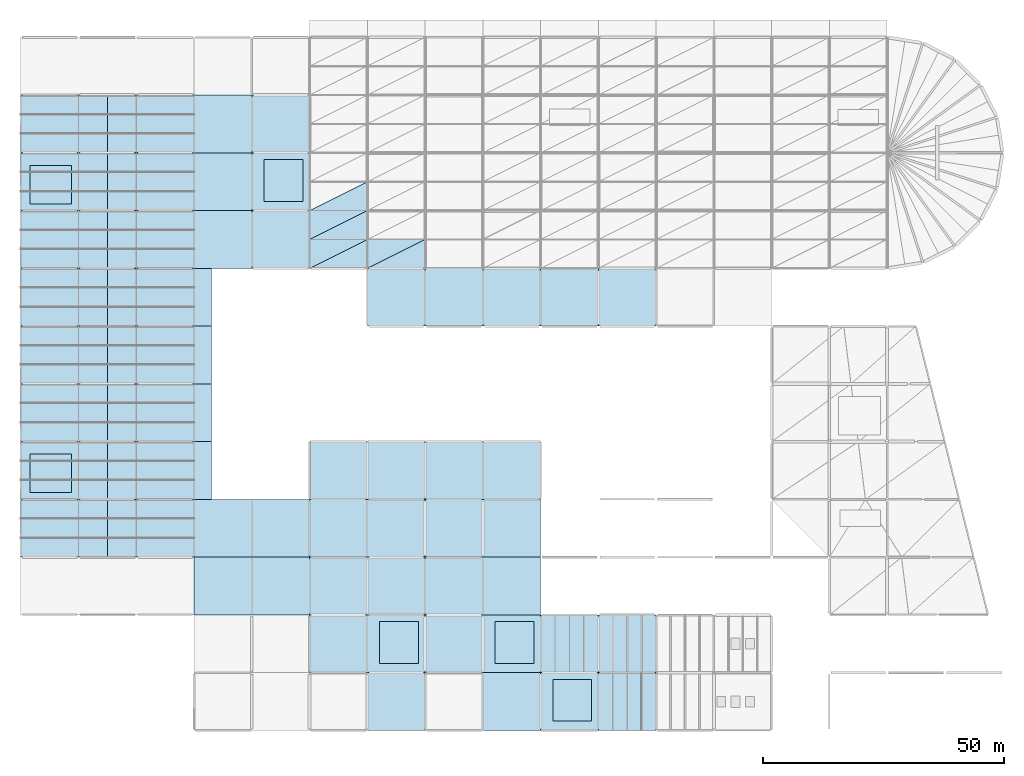
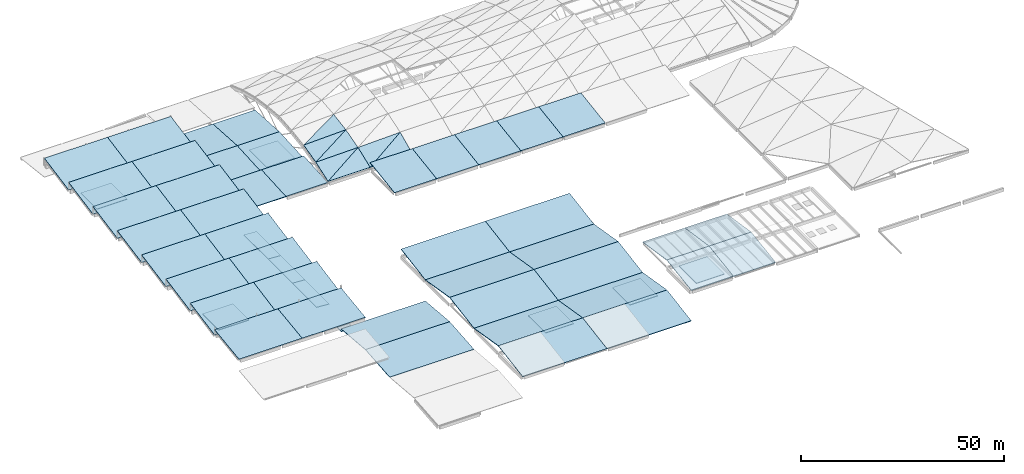
# One storey, part 18 of 23: 60 slabs, 5 elements without a shape of their own.
"""IFC4 building model written with IfcOpenShell, lengths in metres."""

from ifc_helpers import new_model, si_unit, direction, frame, origin, place, context, subcontext, project, spatial, polyline, outline, extrude, material, layer, layer_set, type_object, element, aggregate, save


model = new_model("IFC4")

# Units and contexts
model_context = context("Model", 3, precision=1e-05, world=origin(), true_north=direction((0.0, 1.0)))
body_context = subcontext(model_context, "Body", "Model", "MODEL_VIEW")
ifc_project = project(units=[si_unit("LENGTHUNIT", "METRE"), si_unit("AREAUNIT", "SQUARE_METRE"), si_unit("VOLUMEUNIT", "CUBIC_METRE"), si_unit("PLANEANGLEUNIT", "RADIAN"), si_unit("MASSUNIT", "GRAM", prefix="KILO")], contexts=[model_context])

# Site, building, storey
site_placement = place(None, origin())
site = spatial("IfcSite", under=ifc_project, at=site_placement, CompositionType="ELEMENT")
building_placement = place(site_placement, origin())
building = spatial("IfcBuilding", under=site, at=building_placement, Name="Kamomehara Wholesale Market", CompositionType="ELEMENT")
storey_placement = place(building_placement, frame((0.0, 0.0, 21.0)))
storey = spatial("IfcBuildingStorey", under=building, at=storey_placement, Name="RF", CompositionType="ELEMENT", Elevation=21.0)

# Roof, slabs
ifc_material_1 = material(Name="Concrete Fc36 (C35/45)", Category="concrete")
ifc_layer_1 = layer(ifc_material_1, 0.199951171875)
ifc_layer_set_1 = layer_set([ifc_layer_1], Name="Concrete Fc36 (C35/45)")
roof_type_1 = type_object("IfcRoofType", Name="ROOF-SYS-06", PredefinedType="GABLE_ROOF", material=ifc_layer_set_1)
roof_1_placement = place(storey_placement, origin())
roof_1 = element("IfcRoof", 1, at=roof_1_placement, inside=storey, type_object=roof_type_1, Name="V3 Dock Canopy Roof", PredefinedType="GABLE_ROOF")
ifc_material_2 = material(Name="Concrete Fc36 (C35/45)", Category="concrete")
ifc_layer_2 = layer(ifc_material_2, 0.14990234375)
ifc_layer_set_2 = layer_set([ifc_layer_2], Name="Concrete Fc36 (C35/45)")
slab_type_1 = type_object("IfcSlabType", Name="SLB-ROF-150", PredefinedType="ROOF", material=ifc_layer_set_2)
slab_1_placement = place(storey_placement, frame((36.0, 60.0, -16.35009765625), z_axis=(0.063751781538, 0.0, 0.997965786162), x_axis=(0.997965786162, 0.0, -0.063751781538)))
slab_1 = element("IfcSlab", 2, at=slab_1_placement, type_object=slab_type_1, Name="Dock canopy deck V3 1", PredefinedType="ROOF", context=body_context, shape_type="SweptSolid", body=[
    extrude(outline(polyline([(0.0, 0.0), (3.607435952382691, 0.0), (3.607435952382691, 12.0), (0.0, 12.0), (0.0, 0.0)])), origin(), (0.0, 0.0, -1.0), 0.14990234375),
])
slab_2_placement = place(storey_placement, frame((36.0, 72.0, -16.35009765625), z_axis=(0.063751781538, 0.0, 0.997965786162), x_axis=(0.997965786162, 0.0, -0.063751781538)))
slab_2 = element("IfcSlab", 3, at=slab_2_placement, type_object=slab_type_1, Name="Dock canopy deck V3 2", PredefinedType="ROOF", context=body_context, shape_type="SweptSolid", body=[
    extrude(outline(polyline([(0.0, 0.0), (3.607435952382691, 0.0), (3.607435952382691, 12.0), (0.0, 12.0), (0.0, 0.0)])), origin(), (0.0, 0.0, -1.0), 0.14990234375),
])
slab_3_placement = place(storey_placement, frame((36.0, 84.0, -16.35009765625), z_axis=(0.063751781538, 0.0, 0.997965786162), x_axis=(0.997965786162, 0.0, -0.063751781538)))
slab_3 = element("IfcSlab", 4, at=slab_3_placement, type_object=slab_type_1, Name="Dock canopy deck V3 3", PredefinedType="ROOF", context=body_context, shape_type="SweptSolid", body=[
    extrude(outline(polyline([(0.0, 0.0), (3.607435952382691, 0.0), (3.607435952382691, 12.0), (0.0, 12.0), (0.0, 0.0)])), origin(), (0.0, 0.0, -1.0), 0.14990234375),
])
slab_4_placement = place(storey_placement, frame((36.0, 96.0, -16.35009765625), z_axis=(0.063751781538, 0.0, 0.997965786162), x_axis=(0.997965786162, 0.0, -0.063751781538)))
slab_4 = element("IfcSlab", 5, at=slab_4_placement, type_object=slab_type_1, Name="Dock canopy deck V3 4", PredefinedType="ROOF", context=body_context, shape_type="SweptSolid", body=[
    extrude(outline(polyline([(0.0, 0.0), (3.607435952382691, 0.0), (3.607435952382691, 12.0), (0.0, 12.0), (0.0, 0.0)])), origin(), (0.0, 0.0, -1.0), 0.14990234375),
])
aggregate(roof_1, [slab_1, slab_2, slab_3, slab_4])

ifc_material_3 = material(Name="Concrete Fc36 (C35/45)", Category="concrete")
ifc_layer_3 = layer(ifc_material_3, 0.199951171875)
ifc_layer_set_3 = layer_set([ifc_layer_3], Name="Concrete Fc36 (C35/45)")
roof_type_2 = type_object("IfcRoofType", Name="ROOF-SYS-03", PredefinedType="GABLE_ROOF", material=ifc_layer_set_3)
roof_2_placement = place(storey_placement, origin())
roof_2 = element("IfcRoof", 6, at=roof_2_placement, inside=storey, type_object=roof_type_2, Name="V3 North-Light Monitor Roof", PredefinedType="GABLE_ROOF")
ifc_material_4 = material(Name="Concrete Fc36 (C35/45)", Category="concrete")
ifc_layer_4 = layer(ifc_material_4, 0.1650390625)
ifc_layer_set_4 = layer_set([ifc_layer_4], Name="Concrete Fc36 (C35/45)")
slab_type_2 = type_object("IfcSlabType", Name="SLB-ROF-165", PredefinedType="ROOF", material=ifc_layer_set_4)
slab_5_placement = place(storey_placement, frame((0.0, 48.0, -4.800048828125), z_axis=(0.0, -0.13217164581, 0.991226843888), x_axis=(1.0, 0.0, 0.0)))
slab_5 = element("IfcSlab", 7, at=slab_5_placement, type_object=slab_type_2, Name="Monitor roof slope V3 1.1", PredefinedType="ROOF", context=body_context, shape_type="SweptSolid", body=[
    extrude(outline(polyline([(0.0, 0.0), (18.0, 0.0), (18.0, 12.106209667337533), (0.0, 12.106209667337533), (0.0, 0.0)])), origin(), (0.0, 0.0, -1.0), 0.1650390625),
])
slab_6_placement = place(storey_placement, frame((18.0, 48.0, -4.800048828125), z_axis=(0.0, -0.13217164581, 0.991226843888), x_axis=(1.0, 0.0, 0.0)))
slab_6 = element("IfcSlab", 8, at=slab_6_placement, type_object=slab_type_2, Name="Monitor roof slope V3 1.2", PredefinedType="ROOF", context=body_context, shape_type="SweptSolid", body=[
    extrude(outline(polyline([(0.0, 0.0), (18.0, 0.0), (18.0, 12.106209667337533), (0.0, 12.106209667337533), (0.0, 0.0)])), origin(), (0.0, 0.0, -1.0), 0.1650390625),
])
slab_7_placement = place(storey_placement, frame((0.0, 60.0, -4.800048828125), z_axis=(0.0, -0.188244098612, 0.98212227311), x_axis=(1.0, 0.0, 0.0)))
slab_7 = element("IfcSlab", 9, at=slab_7_placement, type_object=slab_type_2, Name="Monitor roof slope V3 2.1", PredefinedType="ROOF", context=body_context, shape_type="SweptSolid", body=[
    extrude(outline(polyline([(0.0, 0.0), (18.0, 0.0), (18.0, 12.218437895727883), (0.0, 12.218437895727883), (0.0, 0.0)])), origin(), (0.0, 0.0, -1.0), 0.1650390625),
])
slab_8_placement = place(storey_placement, frame((18.0, 60.0, -4.800048828125), z_axis=(0.0, -0.188244098612, 0.98212227311), x_axis=(1.0, 0.0, 0.0)))
slab_8 = element("IfcSlab", 10, at=slab_8_placement, type_object=slab_type_2, Name="Monitor roof slope V3 2.2", PredefinedType="ROOF", context=body_context, shape_type="SweptSolid", body=[
    extrude(outline(polyline([(0.0, 0.0), (18.0, 0.0), (18.0, 12.218437895727883), (0.0, 12.218437895727883), (0.0, 0.0)])), origin(), (0.0, 0.0, -1.0), 0.1650390625),
])
slab_9_placement = place(storey_placement, frame((0.0, 72.0, -4.800048828125), z_axis=(0.0, -0.188244098612, 0.98212227311), x_axis=(1.0, 0.0, 0.0)))
slab_9 = element("IfcSlab", 11, at=slab_9_placement, type_object=slab_type_2, Name="Monitor roof slope V3 3.1", PredefinedType="ROOF", context=body_context, shape_type="SweptSolid", body=[
    extrude(outline(polyline([(0.0, 0.0), (18.0, 0.0), (18.0, 12.218437895727883), (0.0, 12.218437895727883), (0.0, 0.0)])), origin(), (0.0, 0.0, -1.0), 0.1650390625),
])
slab_10_placement = place(storey_placement, frame((18.0, 72.0, -4.800048828125), z_axis=(0.0, -0.188244098612, 0.98212227311), x_axis=(1.0, 0.0, 0.0)))
slab_10 = element("IfcSlab", 12, at=slab_10_placement, type_object=slab_type_2, Name="Monitor roof slope V3 3.2", PredefinedType="ROOF", context=body_context, shape_type="SweptSolid", body=[
    extrude(outline(polyline([(0.0, 0.0), (18.0, 0.0), (18.0, 12.218437895727883), (0.0, 12.218437895727883), (0.0, 0.0)])), origin(), (0.0, 0.0, -1.0), 0.1650390625),
])
slab_11_placement = place(storey_placement, frame((0.0, 84.0, -4.800048828125), z_axis=(0.0, -0.188244098612, 0.98212227311), x_axis=(1.0, 0.0, 0.0)))
slab_11 = element("IfcSlab", 13, at=slab_11_placement, type_object=slab_type_2, Name="Monitor roof slope V3 4.1", PredefinedType="ROOF", context=body_context, shape_type="SweptSolid", body=[
    extrude(outline(polyline([(0.0, 0.0), (18.0, 0.0), (18.0, 12.218437895727883), (0.0, 12.218437895727883), (0.0, 0.0)])), origin(), (0.0, 0.0, -1.0), 0.1650390625),
])
slab_12_placement = place(storey_placement, frame((18.0, 84.0, -4.800048828125), z_axis=(0.0, -0.188244098612, 0.98212227311), x_axis=(1.0, 0.0, 0.0)))
slab_12 = element("IfcSlab", 14, at=slab_12_placement, type_object=slab_type_2, Name="Monitor roof slope V3 4.2", PredefinedType="ROOF", context=body_context, shape_type="SweptSolid", body=[
    extrude(outline(polyline([(0.0, 0.0), (18.0, 0.0), (18.0, 12.218437895727883), (0.0, 12.218437895727883), (0.0, 0.0)])), origin(), (0.0, 0.0, -1.0), 0.1650390625),
])
slab_13_placement = place(storey_placement, frame((0.0, 96.0, -4.800048828125), z_axis=(0.0, -0.188244098612, 0.98212227311), x_axis=(1.0, 0.0, 0.0)))
slab_13 = element("IfcSlab", 15, at=slab_13_placement, type_object=slab_type_2, Name="Monitor roof slope V3 5.1", PredefinedType="ROOF", context=body_context, shape_type="SweptSolid", body=[
    extrude(outline(polyline([(0.0, 0.0), (18.0, 0.0), (18.0, 12.218437895727883), (0.0, 12.218437895727883), (0.0, 0.0)])), origin(), (0.0, 0.0, -1.0), 0.1650390625),
])
slab_14_placement = place(storey_placement, frame((18.0, 96.0, -4.800048828125), z_axis=(0.0, -0.188244098612, 0.98212227311), x_axis=(1.0, 0.0, 0.0)))
slab_14 = element("IfcSlab", 16, at=slab_14_placement, type_object=slab_type_2, Name="Monitor roof slope V3 5.2", PredefinedType="ROOF", context=body_context, shape_type="SweptSolid", body=[
    extrude(outline(polyline([(0.0, 0.0), (18.0, 0.0), (18.0, 12.218437895727883), (0.0, 12.218437895727883), (0.0, 0.0)])), origin(), (0.0, 0.0, -1.0), 0.1650390625),
])
slab_15_placement = place(storey_placement, frame((0.0, 108.0, -4.800048828125), z_axis=(0.0, -0.188244098612, 0.98212227311), x_axis=(1.0, 0.0, 0.0)))
slab_15 = element("IfcSlab", 17, at=slab_15_placement, type_object=slab_type_2, Name="Monitor roof slope V3 6.1", PredefinedType="ROOF", context=body_context, shape_type="SweptSolid", body=[
    extrude(outline(polyline([(0.0, 0.0), (18.0, 0.0), (18.0, 12.218437895727883), (0.0, 12.218437895727883), (0.0, 0.0)])), origin(), (0.0, 0.0, -1.0), 0.1650390625),
])
slab_16_placement = place(storey_placement, frame((18.0, 108.0, -4.800048828125), z_axis=(0.0, -0.188244098612, 0.98212227311), x_axis=(1.0, 0.0, 0.0)))
slab_16 = element("IfcSlab", 18, at=slab_16_placement, type_object=slab_type_2, Name="Monitor roof slope V3 6.2", PredefinedType="ROOF", context=body_context, shape_type="SweptSolid", body=[
    extrude(outline(polyline([(0.0, 0.0), (18.0, 0.0), (18.0, 12.218437895727883), (0.0, 12.218437895727883), (0.0, 0.0)])), origin(), (0.0, 0.0, -1.0), 0.1650390625),
])
slab_17_placement = place(storey_placement, frame((0.0, 120.0, -4.800048828125), z_axis=(0.0, -0.188244098612, 0.98212227311), x_axis=(1.0, 0.0, 0.0)))
slab_17 = element("IfcSlab", 19, at=slab_17_placement, type_object=slab_type_2, Name="Monitor roof slope V3 7.1", PredefinedType="ROOF", context=body_context, shape_type="SweptSolid", body=[
    extrude(outline(polyline([(0.0, 0.0), (18.0, 0.0), (18.0, 12.218437895727883), (0.0, 12.218437895727883), (0.0, 0.0)])), origin(), (0.0, 0.0, -1.0), 0.1650390625),
])
slab_18_placement = place(storey_placement, frame((18.0, 120.0, -4.800048828125), z_axis=(0.0, -0.188244098612, 0.98212227311), x_axis=(1.0, 0.0, 0.0)))
slab_18 = element("IfcSlab", 20, at=slab_18_placement, type_object=slab_type_2, Name="Monitor roof slope V3 7.2", PredefinedType="ROOF", context=body_context, shape_type="SweptSolid", body=[
    extrude(outline(polyline([(0.0, 0.0), (18.0, 0.0), (18.0, 12.218437895727883), (0.0, 12.218437895727883), (0.0, 0.0)])), origin(), (0.0, 0.0, -1.0), 0.1650390625),
])
slab_19_placement = place(storey_placement, frame((0.0, 132.0, -4.800048828125), z_axis=(0.0, -0.188244098612, 0.98212227311), x_axis=(1.0, 0.0, 0.0)))
slab_19 = element("IfcSlab", 21, at=slab_19_placement, type_object=slab_type_2, Name="Monitor roof slope V3 8.1", PredefinedType="ROOF", context=body_context, shape_type="SweptSolid", body=[
    extrude(outline(polyline([(0.0, 0.0), (18.0, 0.0), (18.0, 12.218437895727883), (0.0, 12.218437895727883), (0.0, 0.0)])), origin(), (0.0, 0.0, -1.0), 0.1650390625),
])
slab_20_placement = place(storey_placement, frame((18.0, 132.0, -4.800048828125), z_axis=(0.0, -0.188244098612, 0.98212227311), x_axis=(1.0, 0.0, 0.0)))
slab_20 = element("IfcSlab", 22, at=slab_20_placement, type_object=slab_type_2, Name="Monitor roof slope V3 8.2", PredefinedType="ROOF", context=body_context, shape_type="SweptSolid", body=[
    extrude(outline(polyline([(0.0, 0.0), (18.0, 0.0), (18.0, 12.218437895727883), (0.0, 12.218437895727883), (0.0, 0.0)])), origin(), (0.0, 0.0, -1.0), 0.1650390625),
])
aggregate(roof_2, [slab_5, slab_6, slab_7, slab_8, slab_9, slab_10, slab_11, slab_12, slab_13, slab_14, slab_15, slab_16, slab_17, slab_18, slab_19, slab_20])

ifc_material_5 = material(Name="Concrete Fc36 (C35/45)", Category="concrete")
ifc_layer_5 = layer(ifc_material_5, 0.199951171875)
ifc_layer_set_5 = layer_set([ifc_layer_5], Name="Concrete Fc36 (C35/45)")
roof_type_3 = type_object("IfcRoofType", Name="ROOF-SYS-01", PredefinedType="BARREL_ROOF", material=ifc_layer_set_5)
roof_3_placement = place(storey_placement, origin())
roof_3 = element("IfcRoof", 23, at=roof_3_placement, inside=storey, type_object=roof_type_3, Name="V1 Wave-Barrel Concrete Shell Roof", PredefinedType="BARREL_ROOF")
ifc_material_6 = material(Name="Concrete Fc36 (C35/45)", Category="concrete")
ifc_layer_6 = layer(ifc_material_6, 0.179931640625)
ifc_layer_set_6 = layer_set([ifc_layer_6], Name="Concrete Fc36 (C35/45)")
slab_type_3 = type_object("IfcSlabType", Name="SLB-SHL-180", PredefinedType="ROOF", material=ifc_layer_set_6)
slab_21_placement = place(storey_placement, frame((60.0, 108.0, -8.64990234375), z_axis=(0.0, -0.366575165173, 0.930388439459), x_axis=(1.0, 0.0, 0.0)))
slab_21 = element("IfcSlab", 24, at=slab_21_placement, type_object=slab_type_3, Name="Concrete shell roof facet V1 1", PredefinedType="ROOF", context=body_context, shape_type="SweptSolid", body=[
    extrude(outline(polyline([(0.0, 0.0), (12.0, 0.0), (12.0, 6.448919338990984), (0.0, 0.0)])), origin(), (0.0, 0.0, -1.0), 0.179931640625),
])
slab_22_placement = place(storey_placement, frame((60.0, 108.0, -8.64990234375), z_axis=(-0.019024099385, -0.333343644667, 0.942613440495), x_axis=(0.880857475286, 0.440428737643, 0.173529926212)))
slab_22 = element("IfcSlab", 25, at=slab_22_placement, type_object=slab_type_3, Name="Concrete shell roof facet V1 2", PredefinedType="ROOF", context=body_context, shape_type="SweptSolid", body=[
    extrude(outline(polyline([(0.0, 0.0), (13.623089247333438, -2.220446049250313e-16), (3.010772764898616, 5.606905890221313), (0.0, 0.0)])), origin(), (0.0, 0.0, -1.0), 0.179931640625),
])
slab_23_placement = place(storey_placement, frame((60.0, 114.0, -6.528076171875), z_axis=(-0.019424424379, -0.270767076931, 0.962448898273), x_axis=(0.999796399748, 0.0, 0.020178182547)))
slab_23 = element("IfcSlab", 26, at=slab_23_placement, type_object=slab_type_3, Name="Concrete shell roof facet V1 3", PredefinedType="ROOF", context=body_context, shape_type="SweptSolid", body=[
    extrude(outline(polyline([(0.0, 0.0), (12.002443700561829, 0.0), (12.036504236238084, 6.232827955073587), (0.0, 0.0)])), origin(), (0.0, 0.0, -1.0), 0.179931640625),
])
slab_24_placement = place(storey_placement, frame((60.0, 114.0, -6.528076171875), z_axis=(-0.033515080423, -0.244699516596, 0.969019548803), x_axis=(0.885312169823, 0.442656084911, 0.142400675753)))
slab_24 = element("IfcSlab", 27, at=slab_24_placement, type_object=slab_type_3, Name="Concrete shell roof facet V1 4", PredefinedType="ROOF", context=body_context, shape_type="SweptSolid", body=[
    extrude(outline(polyline([(0.0, 0.0), (13.554540882911677, 4.996003610813204e-16), (2.8716930020762463, 5.481698512170369), (0.0, 0.0)])), origin(), (0.0, 0.0, -1.0), 0.179931640625),
])
slab_25_placement = place(storey_placement, frame((60.0, 120.0, -5.012939453125), z_axis=(-0.034084183452, -0.166370914285, 0.985473991193), x_axis=(0.999402420026, 0.0, 0.034565920289)))
slab_25 = element("IfcSlab", 28, at=slab_25_placement, type_object=slab_type_3, Name="Concrete shell roof facet V1 5", PredefinedType="ROOF", context=body_context, shape_type="SweptSolid", body=[
    extrude(outline(polyline([(0.0, 0.0), (12.007175247467694, 0.0), (12.042188431861995, 6.084802413605207), (0.0, 0.0)])), origin(), (0.0, 0.0, -1.0), 0.179931640625),
])

ifc_material_7 = material(Name="Concrete Fc36 (C35/45)", Category="concrete")
ifc_layer_7 = layer(ifc_material_7, 0.199951171875)
ifc_layer_set_7 = layer_set([ifc_layer_7], Name="Concrete Fc36 (C35/45)")
roof_type_4 = type_object("IfcRoofType", Name="ROOF-SYS-04", PredefinedType="GABLE_ROOF", material=ifc_layer_set_7)
roof_4_placement = place(storey_placement, origin())
roof_4 = element("IfcRoof", 29, at=roof_4_placement, inside=storey, type_object=roof_type_4, Name="V4 Asymmetric Coastal Eave Roof", PredefinedType="GABLE_ROOF")
slab_26_placement = place(storey_placement, frame((36.0, 36.0, -15.550048828125), z_axis=(0.0, -0.087170973002, 0.9961933655), x_axis=(1.0, 0.0, 0.0)))
slab_26 = element("IfcSlab", 30, at=slab_26_placement, type_object=slab_type_3, Name="Live-tank hall pleated roof 3", PredefinedType="ROOF", context=body_context, shape_type="SweptSolid", body=[
    extrude(outline(polyline([(0.0, 0.0), (24.0, 0.0), (24.0, 12.045854164045267), (0.0, 12.045854164045267), (0.0, 0.0)])), origin(), (0.0, 0.0, -1.0), 0.179931640625),
])
slab_27_placement = place(storey_placement, frame((36.0, 48.0, -14.5), z_axis=(0.0, 0.087170973002, 0.9961933655), x_axis=(1.0, 0.0, 0.0)))
slab_27 = element("IfcSlab", 31, at=slab_27_placement, type_object=slab_type_3, Name="Live-tank hall pleated roof 4", PredefinedType="ROOF", context=body_context, shape_type="SweptSolid", body=[
    extrude(outline(polyline([(0.0, 0.0), (24.0, 0.0), (24.0, 12.045854164045267), (0.0, 12.045854164045267), (0.0, 0.0)])), origin(), (0.0, 0.0, -1.0), 0.179931640625),
])

# Slab
ifc_material_8 = material(Name="Concrete Fc36 (C35/45)", Category="concrete")
ifc_layer_8 = layer(ifc_material_8, 0.195068359375)
ifc_layer_set_8 = layer_set([ifc_layer_8], Name="Concrete Fc36 (C35/45)")
slab_type_4 = type_object("IfcSlabType", Name="SLB-SHL-195", PredefinedType="ROOF", material=ifc_layer_set_8)
slab_28_placement = place(storey_placement, frame((36.0, 108.0, -9.0), z_axis=(0.0, -0.062378286155, 0.998052578483), x_axis=(1.0, 0.0, 0.0)))
slab_28 = element("IfcSlab", 32, at=slab_28_placement, type_object=slab_type_4, Name="Sorting hall roof slab 1.1", PredefinedType="ROOF", context=body_context, shape_type="SweptSolid", body=[
    extrude(outline(polyline([(0.0, 0.0), (12.0, 0.0), (12.0, 12.023414656411047), (0.0, 12.023414656411047), (0.0, 0.0)])), origin(), (0.0, 0.0, -1.0), 0.195068359375),
])

slab_29_placement = place(storey_placement, frame((36.0, 120.0, -9.0), z_axis=(0.0, -0.062378286155, 0.998052578483), x_axis=(1.0, 0.0, 0.0)))
slab_29 = element("IfcSlab", 33, at=slab_29_placement, type_object=slab_type_4, Name="Sorting hall roof slab 1.2", PredefinedType="ROOF", context=body_context, shape_type="SweptSolid", body=[
    extrude(outline(polyline([(0.0, 0.0), (12.0, 0.0), (12.0, 12.023414656411047), (0.0, 12.023414656411047), (0.0, 0.0)])), origin(), (0.0, 0.0, -1.0), 0.195068359375),
])

slab_30_placement = place(storey_placement, frame((36.0, 132.0, -8.25), z_axis=(0.0, 0.062378286155, 0.998052578483), x_axis=(1.0, 0.0, 0.0)))
slab_30 = element("IfcSlab", 34, at=slab_30_placement, type_object=slab_type_4, Name="Sorting hall roof slab 1.3", PredefinedType="ROOF", context=body_context, shape_type="SweptSolid", body=[
    extrude(outline(polyline([(0.0, 0.0), (12.0, 0.0), (12.0, 12.023414656411047), (0.0, 12.023414656411047), (0.0, 0.0)])), origin(), (0.0, 0.0, -1.0), 0.195068359375),
])

slab_31_placement = place(storey_placement, frame((48.0, 108.0, -9.0), z_axis=(0.0, -0.062378286155, 0.998052578483), x_axis=(1.0, 0.0, 0.0)))
slab_31 = element("IfcSlab", 35, at=slab_31_placement, type_object=slab_type_4, Name="Sorting hall roof slab 2.1", PredefinedType="ROOF", context=body_context, shape_type="SweptSolid", body=[
    extrude(outline(polyline([(0.0, 0.0), (12.0, 0.0), (12.0, 12.023414656411047), (0.0, 12.023414656411047), (0.0, 0.0)])), origin(), (0.0, 0.0, -1.0), 0.195068359375),
])

slab_32_placement = place(storey_placement, frame((48.0, 120.0, -9.0), z_axis=(0.0, -0.062378286155, 0.998052578483), x_axis=(1.0, 0.0, 0.0)))
slab_32 = element("IfcSlab", 36, at=slab_32_placement, type_object=slab_type_4, Name="Sorting hall roof slab 2.2", PredefinedType="ROOF", context=body_context, shape_type="SweptSolid", body=[
    extrude(outline(polyline([(0.0, 0.0), (12.0, 0.0), (12.0, 12.023414656411047), (0.0, 12.023414656411047), (0.0, 0.0)])), origin(), (0.0, 0.0, -1.0), 0.195068359375),
])

slab_33_placement = place(storey_placement, frame((48.0, 132.0, -8.25), z_axis=(0.0, 0.062378286155, 0.998052578483), x_axis=(1.0, 0.0, 0.0)))
slab_33 = element("IfcSlab", 37, at=slab_33_placement, type_object=slab_type_4, Name="Sorting hall roof slab 2.3", PredefinedType="ROOF", context=body_context, shape_type="SweptSolid", body=[
    extrude(outline(polyline([(0.0, 0.0), (12.0, 0.0), (12.0, 12.023414656411047), (0.0, 12.023414656411047), (0.0, 0.0)])), origin(), (0.0, 0.0, -1.0), 0.195068359375),
])

slab_34_placement = place(storey_placement, frame((72.0, 108.0, -8.64990234375), z_axis=(0.0, -0.417265796716, 0.908784493096), x_axis=(1.0, 0.0, 0.0)))
slab_34 = element("IfcSlab", 38, at=slab_34_placement, type_object=slab_type_4, Name="Concrete shell roof facet V1 17", PredefinedType="ROOF", context=body_context, shape_type="SweptSolid", body=[
    extrude(outline(polyline([(0.0, 0.0), (12.0, 0.0), (12.0, 6.602225330190413), (0.0, 0.0)])), origin(), (0.0, 0.0, -1.0), 0.195068359375),
])

slab_35_placement = place(storey_placement, frame((72.0, 108.0, -8.64990234375), z_axis=(-0.030291104428, -0.366406950871, 0.929961502077), x_axis=(0.876147291713, 0.438073645856, 0.201140259596)))
slab_35 = element("IfcSlab", 39, at=slab_35_placement, type_object=slab_type_4, Name="Concrete shell roof facet V1 18", PredefinedType="ROOF", context=body_context, shape_type="SweptSolid", body=[
    extrude(outline(polyline([(0.0, 0.0), (13.696327219755226, -4.440892098500626e-16), (3.103940198788797, 5.652797173360715), (0.0, 0.0)])), origin(), (0.0, 0.0, -1.0), 0.195068359375),
])

slab_36_placement = place(storey_placement, frame((72.0, 96.0, -9.0), z_axis=(0.0, -0.148344388372, 0.988935762544), x_axis=(1.0, 0.0, 0.0)))
slab_36 = element("IfcSlab", 40, at=slab_36_placement, type_object=slab_type_4, Name="Buyer concourse shell roof 1", PredefinedType="ROOF", context=body_context, shape_type="SweptSolid", body=[
    extrude(outline(polyline([(0.0, 0.0), (12.0, 0.0), (12.0, 12.13425629297627), (0.0, 12.13425629297627), (0.0, 0.0)])), origin(), (0.0, 0.0, -1.0), 0.195068359375),
])

slab_37_placement = place(storey_placement, frame((84.0, 96.0, -9.0), z_axis=(0.0, -0.148344388372, 0.988935762544), x_axis=(1.0, 0.0, 0.0)))
slab_37 = element("IfcSlab", 41, at=slab_37_placement, type_object=slab_type_4, Name="Buyer concourse shell roof 2", PredefinedType="ROOF", context=body_context, shape_type="SweptSolid", body=[
    extrude(outline(polyline([(0.0, 0.0), (12.0, 0.0), (12.0, 12.13425629297627), (0.0, 12.13425629297627), (0.0, 0.0)])), origin(), (0.0, 0.0, -1.0), 0.195068359375),
])

slab_38_placement = place(storey_placement, frame((96.0, 96.0, -9.0), z_axis=(0.0, -0.148344388372, 0.988935762544), x_axis=(1.0, 0.0, 0.0)))
slab_38 = element("IfcSlab", 42, at=slab_38_placement, type_object=slab_type_4, Name="Buyer concourse shell roof 3", PredefinedType="ROOF", context=body_context, shape_type="SweptSolid", body=[
    extrude(outline(polyline([(0.0, 0.0), (12.0, 0.0), (12.0, 12.13425629297627), (0.0, 12.13425629297627), (0.0, 0.0)])), origin(), (0.0, 0.0, -1.0), 0.195068359375),
])

slab_39_placement = place(storey_placement, frame((108.0, 96.0, -9.0), z_axis=(0.0, -0.148344388372, 0.988935762544), x_axis=(1.0, 0.0, 0.0)))
slab_39 = element("IfcSlab", 43, at=slab_39_placement, type_object=slab_type_4, Name="Buyer concourse shell roof 4", PredefinedType="ROOF", context=body_context, shape_type="SweptSolid", body=[
    extrude(outline(polyline([(0.0, 0.0), (12.0, 0.0), (12.0, 12.13425629297627), (0.0, 12.13425629297627), (0.0, 0.0)])), origin(), (0.0, 0.0, -1.0), 0.195068359375),
])

slab_40_placement = place(storey_placement, frame((120.0, 96.0, -9.0), z_axis=(0.0, -0.148344388372, 0.988935762544), x_axis=(1.0, 0.0, 0.0)))
slab_40 = element("IfcSlab", 44, at=slab_40_placement, type_object=slab_type_4, Name="Buyer concourse shell roof 5", PredefinedType="ROOF", context=body_context, shape_type="SweptSolid", body=[
    extrude(outline(polyline([(0.0, 0.0), (12.0, 0.0), (12.0, 12.13425629297627), (0.0, 12.13425629297627), (0.0, 0.0)])), origin(), (0.0, 0.0, -1.0), 0.195068359375),
])

aggregate(roof_3, [slab_28, slab_29, slab_30, slab_31, slab_32, slab_33, slab_21, slab_22, slab_23, slab_24, slab_25, slab_34, slab_35, slab_36, slab_37, slab_38, slab_39, slab_40])

slab_41_placement = place(storey_placement, frame((60.0, 12.0, -9.199951171875), z_axis=(0.0, -0.164398987305, 0.986393923832), x_axis=(1.0, 0.0, 0.0)))
slab_41 = element("IfcSlab", 45, at=slab_41_placement, type_object=slab_type_4, Name="Fish and flower hall folded roof 1.1", PredefinedType="ROOF", context=body_context, shape_type="SweptSolid", body=[
    extrude(outline(polyline([(0.0, 0.0), (24.0, 0.0), (24.0, 12.16552506059644), (0.0, 12.16552506059644), (0.0, 0.0)])), origin(), (0.0, 0.0, -1.0), 0.195068359375),
])

slab_42_placement = place(storey_placement, frame((84.0, 12.0, -9.199951171875), z_axis=(0.0, -0.164398987305, 0.986393923832), x_axis=(1.0, 0.0, 0.0)))
slab_42 = element("IfcSlab", 46, at=slab_42_placement, type_object=slab_type_4, Name="Fish and flower hall folded roof 1.2", PredefinedType="ROOF", context=body_context, shape_type="SweptSolid", body=[
    extrude(outline(polyline([(0.0, 0.0), (24.0, 0.0), (24.0, 12.16552506059644), (0.0, 12.16552506059644), (0.0, 0.0)])), origin(), (0.0, 0.0, -1.0), 0.195068359375),
])

slab_43_placement = place(storey_placement, frame((60.0, 24.0, -7.199951171875), z_axis=(0.0, 0.164398987305, 0.986393923832), x_axis=(1.0, 0.0, 0.0)))
slab_43 = element("IfcSlab", 47, at=slab_43_placement, type_object=slab_type_4, Name="Fish and flower hall folded roof 2.1", PredefinedType="ROOF", context=body_context, shape_type="SweptSolid", body=[
    extrude(outline(polyline([(0.0, 0.0), (24.0, 0.0), (24.0, 12.16552506059644), (0.0, 12.16552506059644), (0.0, 0.0)])), origin(), (0.0, 0.0, -1.0), 0.195068359375),
])

slab_44_placement = place(storey_placement, frame((84.0, 24.0, -7.199951171875), z_axis=(0.0, 0.164398987305, 0.986393923832), x_axis=(1.0, 0.0, 0.0)))
slab_44 = element("IfcSlab", 48, at=slab_44_placement, type_object=slab_type_4, Name="Fish and flower hall folded roof 2.2", PredefinedType="ROOF", context=body_context, shape_type="SweptSolid", body=[
    extrude(outline(polyline([(0.0, 0.0), (24.0, 0.0), (24.0, 12.16552506059644), (0.0, 12.16552506059644), (0.0, 0.0)])), origin(), (0.0, 0.0, -1.0), 0.195068359375),
])

slab_45_placement = place(storey_placement, frame((60.0, 36.0, -9.199951171875), z_axis=(0.0, -0.164398987305, 0.986393923832), x_axis=(1.0, 0.0, 0.0)))
slab_45 = element("IfcSlab", 49, at=slab_45_placement, type_object=slab_type_4, Name="Fish and flower hall folded roof 3.1", PredefinedType="ROOF", context=body_context, shape_type="SweptSolid", body=[
    extrude(outline(polyline([(0.0, 0.0), (24.0, 0.0), (24.0, 12.16552506059644), (0.0, 12.16552506059644), (0.0, 0.0)])), origin(), (0.0, 0.0, -1.0), 0.195068359375),
])

slab_46_placement = place(storey_placement, frame((84.0, 36.0, -9.199951171875), z_axis=(0.0, -0.164398987305, 0.986393923832), x_axis=(1.0, 0.0, 0.0)))
slab_46 = element("IfcSlab", 50, at=slab_46_placement, type_object=slab_type_4, Name="Fish and flower hall folded roof 3.2", PredefinedType="ROOF", context=body_context, shape_type="SweptSolid", body=[
    extrude(outline(polyline([(0.0, 0.0), (24.0, 0.0), (24.0, 12.16552506059644), (0.0, 12.16552506059644), (0.0, 0.0)])), origin(), (0.0, 0.0, -1.0), 0.195068359375),
])

slab_47_placement = place(storey_placement, frame((60.0, 48.0, -7.199951171875), z_axis=(0.0, 0.164398987305, 0.986393923832), x_axis=(1.0, 0.0, 0.0)))
slab_47 = element("IfcSlab", 51, at=slab_47_placement, type_object=slab_type_4, Name="Fish and flower hall folded roof 4.1", PredefinedType="ROOF", context=body_context, shape_type="SweptSolid", body=[
    extrude(outline(polyline([(0.0, 0.0), (24.0, 0.0), (24.0, 12.16552506059644), (0.0, 12.16552506059644), (0.0, 0.0)])), origin(), (0.0, 0.0, -1.0), 0.195068359375),
])

slab_48_placement = place(storey_placement, frame((84.0, 48.0, -7.199951171875), z_axis=(0.0, 0.164398987305, 0.986393923832), x_axis=(1.0, 0.0, 0.0)))
slab_48 = element("IfcSlab", 52, at=slab_48_placement, type_object=slab_type_4, Name="Fish and flower hall folded roof 4.2", PredefinedType="ROOF", context=body_context, shape_type="SweptSolid", body=[
    extrude(outline(polyline([(0.0, 0.0), (24.0, 0.0), (24.0, 12.16552506059644), (0.0, 12.16552506059644), (0.0, 0.0)])), origin(), (0.0, 0.0, -1.0), 0.195068359375),
])

slab_49_placement = place(storey_placement, frame((60.0, 60.0, -9.199951171875), z_axis=(0.0, -0.164398987305, 0.986393923832), x_axis=(1.0, 0.0, 0.0)))
slab_49 = element("IfcSlab", 53, at=slab_49_placement, type_object=slab_type_4, Name="Fish and flower hall folded roof 5.1", PredefinedType="ROOF", context=body_context, shape_type="SweptSolid", body=[
    extrude(outline(polyline([(0.0, 0.0), (24.0, 0.0), (24.0, 12.16552506059644), (0.0, 12.16552506059644), (0.0, 0.0)])), origin(), (0.0, 0.0, -1.0), 0.195068359375),
])

slab_50_placement = place(storey_placement, frame((84.0, 60.0, -9.199951171875), z_axis=(0.0, -0.164398987305, 0.986393923832), x_axis=(1.0, 0.0, 0.0)))
slab_50 = element("IfcSlab", 54, at=slab_50_placement, type_object=slab_type_4, Name="Fish and flower hall folded roof 5.2", PredefinedType="ROOF", context=body_context, shape_type="SweptSolid", body=[
    extrude(outline(polyline([(0.0, 0.0), (24.0, 0.0), (24.0, 12.16552506059644), (0.0, 12.16552506059644), (0.0, 0.0)])), origin(), (0.0, 0.0, -1.0), 0.195068359375),
])

aggregate(roof_4, [slab_26, slab_27, slab_41, slab_42, slab_43, slab_44, slab_45, slab_46, slab_47, slab_48, slab_49, slab_50])

# Roof, slabs
ifc_material_9 = material(Name="Concrete Fc36 (C35/45)", Category="concrete")
ifc_layer_9 = layer(ifc_material_9, 0.199951171875)
ifc_layer_set_9 = layer_set([ifc_layer_9], Name="Concrete Fc36 (C35/45)")
roof_type_5 = type_object("IfcRoofType", Name="ROOF-SYS-05", PredefinedType="GABLE_ROOF", material=ifc_layer_set_9)
roof_5_placement = place(storey_placement, origin())
roof_5 = element("IfcRoof", 55, at=roof_5_placement, inside=storey, type_object=roof_type_5, Name="V5 Boulevard Wing Roof", PredefinedType="GABLE_ROOF")
ifc_material_10 = material(Name="Concrete Fc36 (C35/45)", Category="concrete")
ifc_layer_10 = layer(ifc_material_10, 0.2099609375)
ifc_layer_set_10 = layer_set([ifc_layer_10], Name="Concrete Fc36 (C35/45)")
slab_type_5 = type_object("IfcSlabType", Name="SLB-SHL-210", PredefinedType="ROOF", material=ifc_layer_set_10)
slab_51_placement = place(storey_placement, frame((108.0, 12.0, 0.0), z_axis=(0.0, -0.148344388372, 0.988935762544), x_axis=(1.0, 0.0, 0.0)))
slab_51 = element("IfcSlab", 56, at=slab_51_placement, type_object=slab_type_5, Name="Boulevard pavilion south roof 1", PredefinedType="ROOF", context=body_context, shape_type="SweptSolid", body=[
    extrude(outline(polyline([(0.0, 0.0), (12.0, 0.0), (12.0, 12.13425629297627), (0.0, 12.13425629297627), (0.0, 0.0)])), origin(), (0.0, 0.0, -1.0), 0.2099609375),
])
slab_52_placement = place(storey_placement, frame((108.0, 24.0, 1.800048828125), z_axis=(0.0, 0.148344388372, 0.988935762544), x_axis=(1.0, 0.0, 0.0)))
slab_52 = element("IfcSlab", 57, at=slab_52_placement, type_object=slab_type_5, Name="Boulevard pavilion north roof 1", PredefinedType="ROOF", context=body_context, shape_type="SweptSolid", body=[
    extrude(outline(polyline([(0.0, 0.0), (12.0, 0.0), (12.0, 12.13425629297627), (0.0, 12.13425629297627), (0.0, 0.0)])), origin(), (0.0, 0.0, -1.0), 0.2099609375),
])
slab_53_placement = place(storey_placement, frame((120.0, 12.0, 0.0), z_axis=(0.0, -0.148344388372, 0.988935762544), x_axis=(1.0, 0.0, 0.0)))
slab_53 = element("IfcSlab", 58, at=slab_53_placement, type_object=slab_type_5, Name="Boulevard pavilion south roof 2", PredefinedType="ROOF", context=body_context, shape_type="SweptSolid", body=[
    extrude(outline(polyline([(0.0, 0.0), (12.0, 0.0), (12.0, 12.13425629297627), (0.0, 12.13425629297627), (0.0, 0.0)])), origin(), (0.0, 0.0, -1.0), 0.2099609375),
])
slab_54_placement = place(storey_placement, frame((120.0, 24.0, 1.800048828125), z_axis=(0.0, 0.148344388372, 0.988935762544), x_axis=(1.0, 0.0, 0.0)))
slab_54 = element("IfcSlab", 59, at=slab_54_placement, type_object=slab_type_5, Name="Boulevard pavilion north roof 2", PredefinedType="ROOF", context=body_context, shape_type="SweptSolid", body=[
    extrude(outline(polyline([(0.0, 0.0), (12.0, 0.0), (12.0, 12.13425629297627), (0.0, 12.13425629297627), (0.0, 0.0)])), origin(), (0.0, 0.0, -1.0), 0.2099609375),
])
aggregate(roof_5, [slab_51, slab_52, slab_53, slab_54])

# Slabs
slab_55_placement = place(storey_placement, frame((0.0, 0.0, -9.81005859375)))
element("IfcSlab", 60, at=slab_55_placement, inside=storey, type_object=slab_type_5, Name="Core overrun roof slab CORE-V1W", PredefinedType="ROOF", context=body_context, shape_type="SweptSolid", body=[
    extrude(outline(polyline([(50.580078125, 121.929931640625), (58.60009765625, 121.929931640625), (58.60009765625, 130.60009765625), (50.580078125, 130.60009765625), (50.580078125, 121.929931640625)])), origin(), (0.0, 0.0, 1.0), 0.2099609375),
])
slab_56_placement = place(storey_placement, frame((0.0, 0.0, -5.010009765625)))
element("IfcSlab", 61, at=slab_56_placement, inside=storey, type_object=slab_type_5, Name="Core overrun roof slab CORE-V3S", PredefinedType="ROOF", context=body_context, shape_type="SweptSolid", body=[
    extrude(outline(polyline([(1.929931640625, 61.39990234375), (10.60009765625, 61.39990234375), (10.60009765625, 69.419921875), (1.929931640625, 69.419921875), (1.929931640625, 61.39990234375)])), origin(), (0.0, 0.0, 1.0), 0.2099609375),
])
slab_57_placement = place(storey_placement, frame((0.0, 0.0, -5.010009765625)))
element("IfcSlab", 62, at=slab_57_placement, inside=storey, type_object=slab_type_5, Name="Core overrun roof slab CORE-V3N", PredefinedType="ROOF", context=body_context, shape_type="SweptSolid", body=[
    extrude(outline(polyline([(1.929931640625, 121.39990234375), (10.60009765625, 121.39990234375), (10.60009765625, 129.419921875), (1.929931640625, 129.419921875), (1.929931640625, 121.39990234375)])), origin(), (0.0, 0.0, 1.0), 0.2099609375),
])
slab_58_placement = place(storey_placement, frame((0.0, 0.0, -9.81005859375)))
element("IfcSlab", 63, at=slab_58_placement, inside=storey, type_object=slab_type_5, Name="Core overrun roof slab CORE-V4C", PredefinedType="ROOF", context=body_context, shape_type="SweptSolid", body=[
    extrude(outline(polyline([(74.580078125, 25.929931640625), (82.60009765625, 25.929931640625), (82.60009765625, 34.60009765625), (74.580078125, 34.60009765625), (74.580078125, 25.929931640625)])), origin(), (0.0, 0.0, 1.0), 0.2099609375),
])
slab_59_placement = place(storey_placement, frame((0.0, 0.0, -9.81005859375)))
element("IfcSlab", 64, at=slab_59_placement, inside=storey, type_object=slab_type_5, Name="Core overrun roof slab CORE-V4E", PredefinedType="ROOF", context=body_context, shape_type="SweptSolid", body=[
    extrude(outline(polyline([(98.580078125, 25.929931640625), (106.60009765625, 25.929931640625), (106.60009765625, 34.60009765625), (98.580078125, 34.60009765625), (98.580078125, 25.929931640625)])), origin(), (0.0, 0.0, 1.0), 0.2099609375),
])
slab_60_placement = place(storey_placement, frame((0.0, 0.0, -0.2099609375)))
element("IfcSlab", 65, at=slab_60_placement, inside=storey, type_object=slab_type_5, Name="Core overrun roof slab CORE-V5W", PredefinedType="ROOF", context=body_context, shape_type="SweptSolid", body=[
    extrude(outline(polyline([(110.580078125, 13.929931640625), (118.60009765625, 13.929931640625), (118.60009765625, 22.60009765625), (110.580078125, 22.60009765625), (110.580078125, 13.929931640625)])), origin(), (0.0, 0.0, 1.0), 0.2099609375),
])

save(model, "model.ifc")
